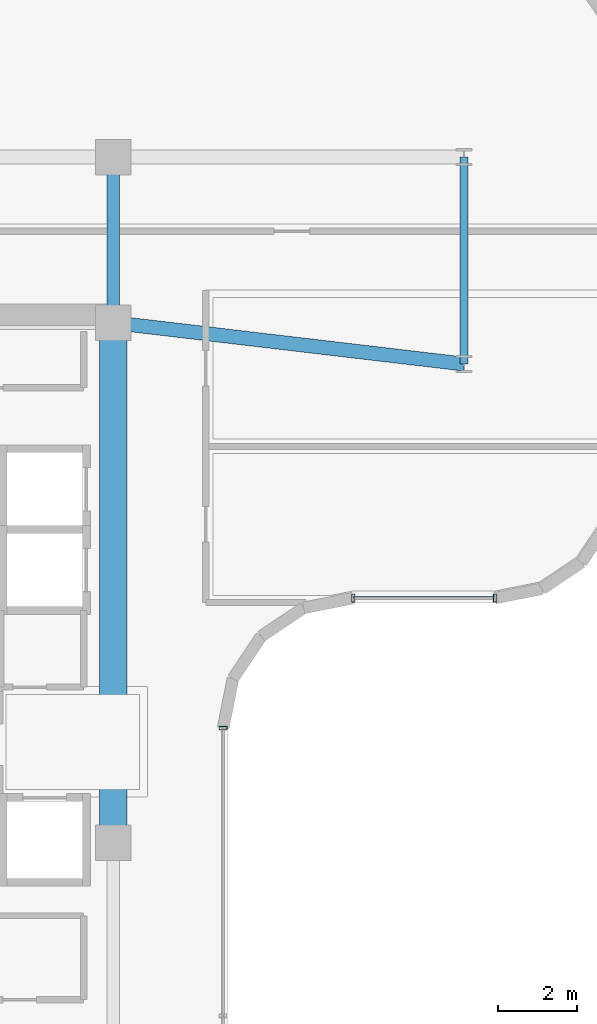
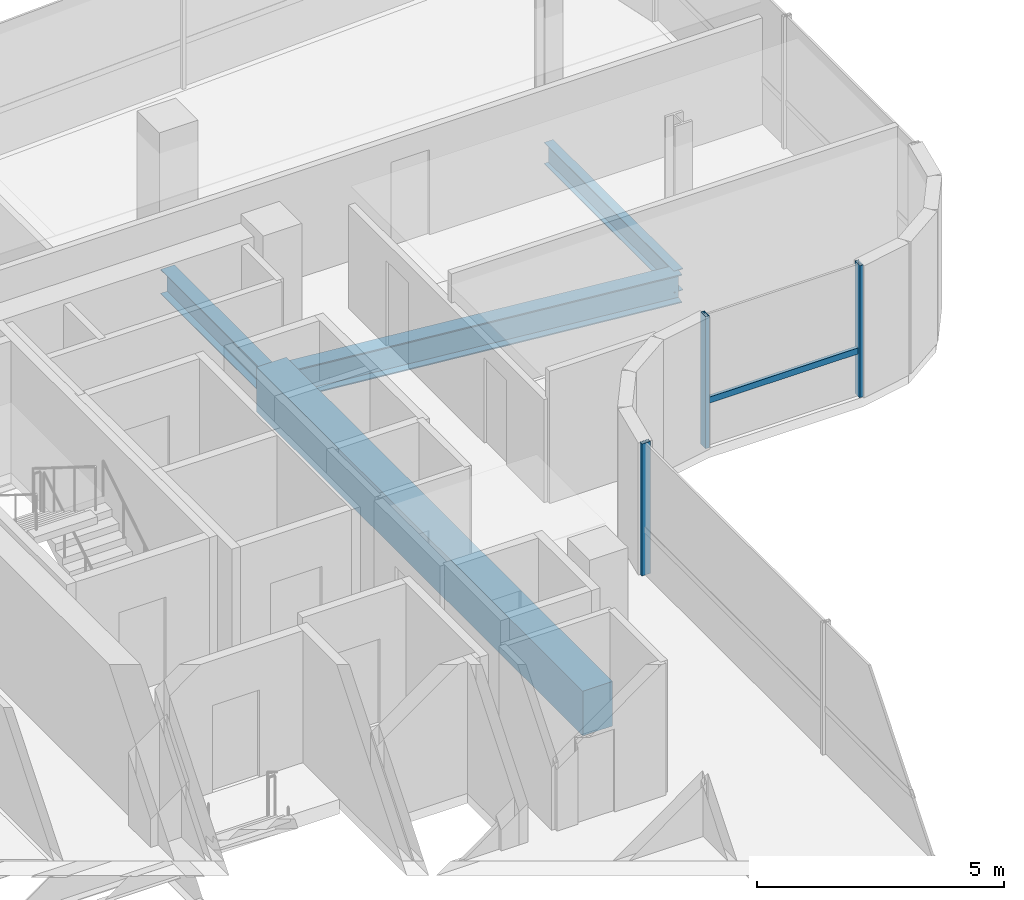
# One storey, part 11 of 22: 4 beams, 4 members, 2 elements without a shape of their own.
"""IFC4 building model written with IfcOpenShell, lengths in metres."""

from ifc_helpers import new_model, si_unit, direction, frame, origin, origin_2d, place, context, subcontext, project, spatial, rectangle, hollow_rectangle, i_section, extrude, source, transform, mapped, material, material_profile, profile_set, type_object, element, aggregate, save


model = new_model("IFC4")

# Units and contexts
model_context = context("Model", 3, precision=1e-05, world=origin(), true_north=direction((0.0, 1.0)))
body_context = subcontext(model_context, "Body", "Model", "MODEL_VIEW")
ifc_project = project(units=[si_unit("LENGTHUNIT", "METRE"), si_unit("AREAUNIT", "SQUARE_METRE"), si_unit("VOLUMEUNIT", "CUBIC_METRE"), si_unit("PLANEANGLEUNIT", "RADIAN"), si_unit("MASSUNIT", "GRAM", prefix="KILO")], contexts=[model_context])

# Site, building, storey
site_placement = place(None, origin())
site = spatial("IfcSite", under=ifc_project, at=site_placement, CompositionType="ELEMENT")
building_placement = place(site_placement, origin())
building = spatial("IfcBuilding", under=site, at=building_placement, Name="Valdorenza Pilgrim Sanctuary Tower", CompositionType="ELEMENT")
storey_placement = place(building_placement, frame((0.0, 0.0, 233.5)))
storey = spatial("IfcBuildingStorey", under=building, at=storey_placement, Name="L60", CompositionType="ELEMENT", Elevation=233.5)

# Beams
ifc_material_1 = material(Name="Concrete C50/60", Category="concrete")
ifc_material_profile_1 = material_profile(ifc_material_1, rectangle(XDim=0.699951171875, YDim=1.10009765625, at=origin_2d()), Name="RC 1100x700")
ifc_profile_set_1 = profile_set([ifc_material_profile_1], Name="Concrete C50/60")
beam_type_1 = type_object("IfcBeamType", Name="STR-BM-LNT-1100", PredefinedType="LINTEL", material=ifc_profile_set_1)
shared_shape_1 = source(origin(), body_context, "Body", "SweptSolid", [
    extrude(rectangle(XDim=0.699951171875, YDim=1.10009765625, at=origin_2d()), origin(), (0.0, 0.0, 1.0), 13.2001953125),
])
beam_1_placement = place(storey_placement, frame((-12.39990234375, -2.60009765625, -0.590087890625), z_axis=(0.0, 1.0, 0.0), x_axis=(-1.0, 0.0, 0.0)))
element("IfcBeam", 1, at=beam_1_placement, inside=storey, type_object=beam_type_1, Name="L60 Core A Coupling Lintel Girder", PredefinedType="LINTEL", context=body_context, shape_type="MappedRepresentation", body=[
    mapped(shared_shape_1, transform((0.0, 0.0, 0.0), x_axis=(1.0, 0.0, 0.0), y_axis=(0.0, 1.0, 0.0), z_axis=(0.0, 0.0, 1.0), scale=1.0)),
])
ifc_material_2 = material(Name="Steel ASTM A992 Grade 50", Category="steel")
ifc_material_profile_2 = material_profile(ifc_material_2, i_section(OverallWidth=0.323974609375, OverallDepth=0.611083984375, WebThickness=0.0126953125, FlangeThickness=0.01904296875, at=origin_2d()), Name="W24X104")
ifc_profile_set_2 = profile_set([ifc_material_profile_2], Name="Steel ASTM A992 Grade 50")
beam_type_2 = type_object("IfcBeamType", Name="STR-BM-GRD-W24B", PredefinedType="BEAM", material=ifc_profile_set_2)
shared_shape_2 = source(origin(), body_context, "Body", "SweptSolid", [
    extrude(i_section(OverallWidth=0.323974609375, OverallDepth=0.611083984375, WebThickness=0.0126953125, FlangeThickness=0.01904296875, at=origin_2d()), origin(), (0.0, 0.0, 1.0), 4.199951171875),
])
beam_2_placement = place(storey_placement, frame((-12.39990234375, 10.60009765625, -0.54541015625), z_axis=(0.0, 1.0, 0.0), x_axis=(-1.0, 0.0, 0.0)))
element("IfcBeam", 2, at=beam_2_placement, inside=storey, type_object=beam_type_2, Name="L60 Core Tie Girder CA-E-N1N2", PredefinedType="BEAM", context=body_context, shape_type="MappedRepresentation", body=[
    mapped(shared_shape_2, transform((0.0, 0.0, 0.0), x_axis=(1.0, 0.0, 0.0), y_axis=(0.0, 1.0, 0.0), z_axis=(0.0, 0.0, 1.0), scale=1.0)),
])
ifc_material_profile_3 = material_profile(ifc_material_2, i_section(OverallWidth=0.2109375, OverallDepth=0.5390625, WebThickness=0.01171875, FlangeThickness=0.018798828125, at=origin_2d()), Name="W21X73")
ifc_profile_set_3 = profile_set([ifc_material_profile_3], Name="Steel ASTM A992 Grade 50")
beam_type_3 = type_object("IfcBeamType", Name="STR-BM-SPN-W21B", PredefinedType="SPANDREL", material=ifc_profile_set_3)
shared_shape_3 = source(origin(), body_context, "Body", "SweptSolid", [
    extrude(i_section(OverallWidth=0.2109375, OverallDepth=0.5390625, WebThickness=0.01171875, FlangeThickness=0.018798828125, at=origin_2d()), origin(), (0.0, 0.0, 1.0), 5.25),
])
beam_3_placement = place(storey_placement, frame((-3.5, 9.550048828125, -0.509521484375), z_axis=(0.0, 1.0, 0.0), x_axis=(-1.0, 0.0, 0.0)))
element("IfcBeam", 3, at=beam_3_placement, inside=storey, type_object=beam_type_3, Name="L60 Floor Girder UWA-KTIE", PredefinedType="SPANDREL", context=body_context, shape_type="MappedRepresentation", body=[
    mapped(shared_shape_3, transform((0.0, 0.0, 0.0), x_axis=(1.0, 0.0, 0.0), y_axis=(0.0, 1.0, 0.0), z_axis=(0.0, 0.0, 1.0), scale=1.0)),
])
ifc_material_profile_4 = material_profile(ifc_material_2, i_section(OverallWidth=0.35595703125, OverallDepth=0.700927734375, WebThickness=0.016845703125, FlangeThickness=0.02734375, at=origin_2d()), Name="W27X161")
ifc_profile_set_4 = profile_set([ifc_material_profile_4], Name="Steel ASTM A992 Grade 50")
beam_type_4 = type_object("IfcBeamType", Name="STR-BM-GRD-W27", PredefinedType="BEAM", material=ifc_profile_set_4)
shared_shape_4 = source(origin(), body_context, "Body", "SweptSolid", [
    extrude(i_section(OverallWidth=0.35595703125, OverallDepth=0.700927734375, WebThickness=0.016845703125, FlangeThickness=0.02734375, at=origin_2d()), origin(), (0.0, 0.0, 1.0), 8.961669921875),
])
beam_4_placement = place(storey_placement, frame((-12.39990234375, 10.60009765625, -0.590576171875), z_axis=(0.993111684121, -0.117171595803, 0.0), x_axis=(0.117171595803, 0.993111684121, 0.0)))
element("IfcBeam", 4, at=beam_4_placement, inside=storey, type_object=beam_type_4, Name="L60 Floor Girder UWA-KG1", PredefinedType="BEAM", context=body_context, shape_type="MappedRepresentation", body=[
    mapped(shared_shape_4, transform((0.0, 0.0, 0.0), x_axis=(1.0, 0.0, 0.0), y_axis=(0.0, 1.0, 0.0), z_axis=(0.0, 0.0, 1.0), scale=1.0)),
])

# Curtain wall, members
ifc_material_3 = material(Name="Curtain-wall IGU glazing", Category="glass")
curtain_wall_type = type_object("IfcCurtainWallType", Name="CW-SYS-02", PredefinedType="NOTDEFINED", material=ifc_material_3)
curtain_wall_1_placement = place(storey_placement, origin())
curtain_wall_1 = element("IfcCurtainWall", 5, at=curtain_wall_1_placement, inside=storey, type_object=curtain_wall_type, Name="L60 Curtain Wall CW-L60-1-16", PredefinedType="NOTDEFINED")
ifc_material_4 = material(Name="Anodised aluminium AW-6060", Category="aluminium")
ifc_material_profile_5 = material_profile(ifc_material_4, hollow_rectangle(XDim=0.074951171875, YDim=0.14990234375, WallThickness=0.00390625, at=origin_2d()), Name="ALU-T 150x75x4")
ifc_profile_set_5 = profile_set([ifc_material_profile_5], Name="Anodised aluminium AW-6060")
member_type_1 = type_object("IfcMemberType", Name="CW-TRN-02", PredefinedType="USERDEFINED", material=ifc_profile_set_5)
shared_shape_5 = source(origin(), body_context, "Body", "SweptSolid", [
    extrude(hollow_rectangle(XDim=0.074951171875, YDim=0.14990234375, WallThickness=0.00390625, at=origin_2d()), origin(), (0.0, 0.0, 1.0), 3.60009765625),
])
member_1_placement = place(storey_placement, frame((-2.710693359375, 3.610107421875, 1.1201171875), z_axis=(-1.0, 0.0, 0.0), x_axis=(0.0, -1.0, 0.0)))
member_1 = element("IfcMember", 6, at=member_1_placement, type_object=member_type_1, Name="CW-L60-1-16 Transom 1", ObjectType="TRANSOM", PredefinedType="USERDEFINED", context=body_context, shape_type="MappedRepresentation", body=[
    mapped(shared_shape_5, transform((0.0, 0.0, 0.0), x_axis=(1.0, 0.0, 0.0), y_axis=(0.0, 1.0, 0.0), z_axis=(0.0, 0.0, 1.0), scale=1.0)),
])
ifc_material_profile_6 = material_profile(ifc_material_4, hollow_rectangle(XDim=0.0849609375, YDim=0.199951171875, WallThickness=0.0048828125, at=origin_2d()), Name="ALU-M 200x85x5")
ifc_profile_set_6 = profile_set([ifc_material_profile_6], Name="Anodised aluminium AW-6060")
member_type_2 = type_object("IfcMemberType", Name="CW-MUL-02", PredefinedType="MULLION", material=ifc_profile_set_6)
shared_shape_6 = source(origin(), body_context, "Body", "SweptSolid", [
    extrude(hollow_rectangle(XDim=0.0849609375, YDim=0.199951171875, WallThickness=0.0048828125, at=origin_2d()), origin(), (0.0, 0.0, 1.0), 3.260009765625),
])
member_2_placement = place(storey_placement, frame((-2.710693359375, 3.610107421875, 0.0), z_axis=(0.0, 0.0, 1.0), x_axis=(-1.0, 0.0, 0.0)))
member_2 = element("IfcMember", 7, at=member_2_placement, type_object=member_type_2, Name="CW-L60-1-16 Mullion 1", PredefinedType="MULLION", context=body_context, shape_type="MappedRepresentation", body=[
    mapped(shared_shape_6, transform((0.0, 0.0, 0.0), x_axis=(1.0, 0.0, 0.0), y_axis=(0.0, 1.0, 0.0), z_axis=(0.0, 0.0, 1.0), scale=1.0)),
])
member_3_placement = place(storey_placement, frame((-6.310791015625, 3.610107421875, 0.0), z_axis=(0.0, 0.0, 1.0), x_axis=(-1.0, 0.0, 0.0)))
member_3 = element("IfcMember", 8, at=member_3_placement, type_object=member_type_2, Name="CW-L60-1-16 Mullion 2", PredefinedType="MULLION", context=body_context, shape_type="MappedRepresentation", body=[
    mapped(shared_shape_6, transform((0.0, 0.0, 0.0), x_axis=(1.0, 0.0, 0.0), y_axis=(0.0, 1.0, 0.0), z_axis=(0.0, 0.0, 1.0), scale=1.0)),
])
aggregate(curtain_wall_1, [member_2, member_3, member_1])

# Curtain wall, member
curtain_wall_2_placement = place(storey_placement, origin())
curtain_wall_2 = element("IfcCurtainWall", 9, at=curtain_wall_2_placement, inside=storey, type_object=curtain_wall_type, Name="L60 Curtain Wall CW-L60-1-21", PredefinedType="NOTDEFINED")
member_4_placement = place(storey_placement, frame((-9.610107421875, 0.310791015625, 0.0), z_axis=(0.0, 0.0, 1.0), x_axis=(0.0, -1.0, 0.0)))
member_4 = element("IfcMember", 10, at=member_4_placement, type_object=member_type_2, Name="CW-L60-1-21 Mullion 1", PredefinedType="MULLION", context=body_context, shape_type="MappedRepresentation", body=[
    mapped(shared_shape_6, transform((0.0, 0.0, 0.0), x_axis=(1.0, 0.0, 0.0), y_axis=(0.0, 1.0, 0.0), z_axis=(0.0, 0.0, 1.0), scale=1.0)),
])
aggregate(curtain_wall_2, [member_4])

save(model, "model.ifc")
